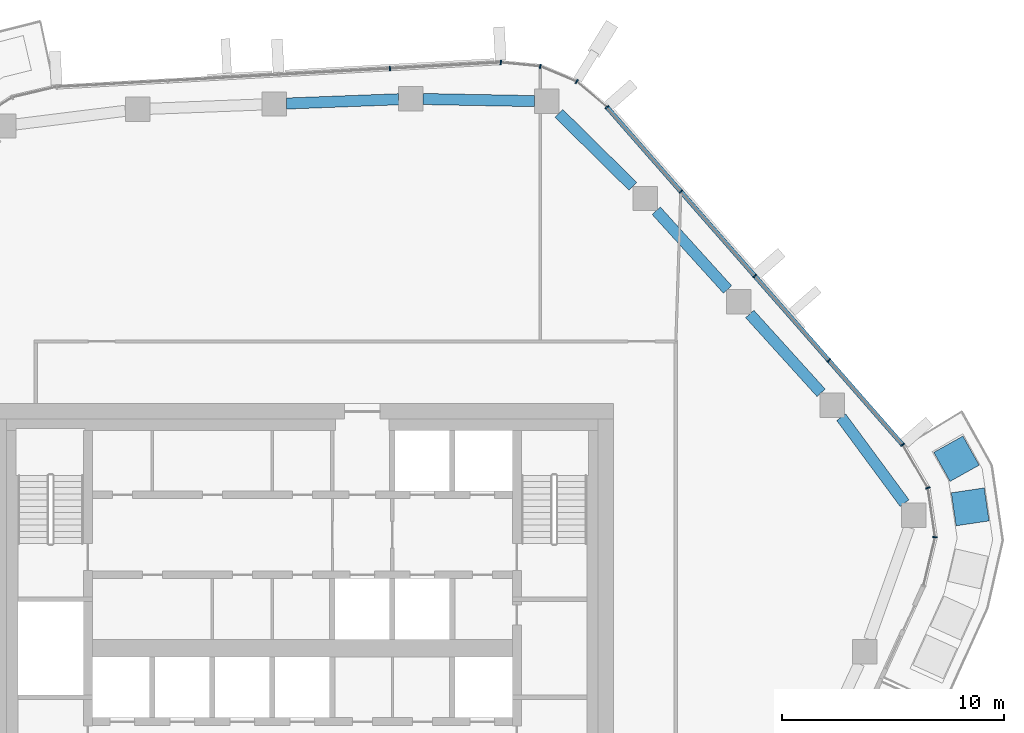
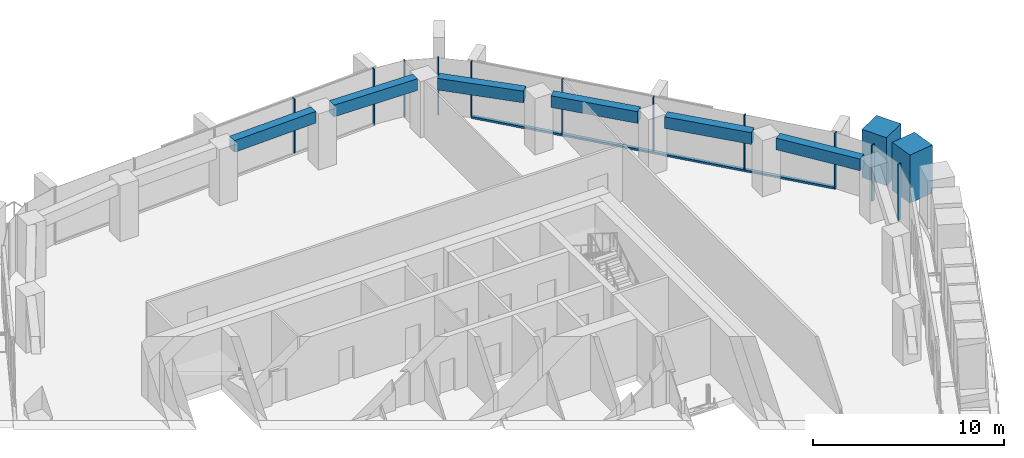
# One storey, part 8 of 21: 14 members, 6 beams, 4 elements without a shape of their own.
"""IFC4 building model written with IfcOpenShell, lengths in metres."""

from ifc_helpers import new_model, si_unit, direction, frame, origin, origin_2d, place, context, subcontext, project, spatial, rectangle, extrude, material, layer, layer_set, material_profile, profile_set, type_object, element, aggregate, save


model = new_model("IFC4")

# Units and contexts
model_context = context("Model", 3, precision=1e-05, world=origin(), true_north=direction((0.0, 1.0)))
body_context = subcontext(model_context, "Body", "Model", "MODEL_VIEW")
ifc_project = project(units=[si_unit("LENGTHUNIT", "METRE"), si_unit("AREAUNIT", "SQUARE_METRE"), si_unit("VOLUMEUNIT", "CUBIC_METRE"), si_unit("PLANEANGLEUNIT", "RADIAN"), si_unit("MASSUNIT", "GRAM", prefix="KILO")], contexts=[model_context])

# Site, building, storey
site_placement = place(None, origin())
site = spatial("IfcSite", under=ifc_project, at=site_placement, CompositionType="ELEMENT")
building_placement = place(site_placement, origin())
building = spatial("IfcBuilding", under=site, at=building_placement, Name="Dongbaek Canopy Tower", CompositionType="ELEMENT")
storey_placement = place(building_placement, frame((0.0, 0.0, 279.0)))
storey = spatial("IfcBuildingStorey", under=building, at=storey_placement, Name="L59", CompositionType="ELEMENT", Elevation=279.0)

# Curtain wall, members
ifc_material_1 = material(Name="Aluminium 6063-T6 pale anodised", Category="aluminium")
ifc_layer = layer(ifc_material_1, 0.199951171875)
ifc_layer_set = layer_set([ifc_layer], Name="CW-1 unitised tower curtain wall")
curtain_wall_type = type_object("IfcCurtainWallType", Name="CW-1 unitised tower curtain wall", PredefinedType="NOTDEFINED", material=ifc_layer_set)
curtain_wall_1_placement = place(storey_placement, origin())
curtain_wall_1 = element("IfcCurtainWall", 1, at=curtain_wall_1_placement, inside=storey, type_object=curtain_wall_type, Name="CW-1 curtain wall K0.1", PredefinedType="NOTDEFINED")
ifc_material_2 = material(Name="Aluminium 6063-T6 pale anodised", Category="aluminium")
ifc_material_profile_1 = material_profile(ifc_material_2, rectangle(XDim=0.199951171875, YDim=0.06005859375, at=origin_2d()), Name="CW-1 mullion 60 x 200")
ifc_profile_set_1 = profile_set([ifc_material_profile_1], Name="Aluminium 6063-T6 pale anodised")
member_type_1 = type_object("IfcMemberType", Name="CW-1 mullion 60 x 200", PredefinedType="MULLION", material=ifc_profile_set_1)
member_1_placement = place(storey_placement, frame((28.461181640625, 4.994140625, 0.0), z_axis=(0.0, 0.0, 1.0), x_axis=(0.999002637183, -0.044651213891, 0.0)))
member_1 = element("IfcMember", 2, at=member_1_placement, type_object=member_type_1, Name="CW-1 mullion K0.1.2", PredefinedType="MULLION", context=body_context, shape_type="SweptSolid", body=[
    extrude(rectangle(XDim=0.199951171875, YDim=0.06005859375, at=origin_2d()), origin(), (0.0, 0.0, 1.0), 3.60009765625),
])
member_2_placement = place(storey_placement, frame((28.134521484375, 7.209716796875, 0.0), z_axis=(0.0, 0.0, 1.0), x_axis=(0.943640970569, 0.330970872831, 0.0)))
member_2 = element("IfcMember", 3, at=member_2_placement, type_object=member_type_1, Name="CW-1 mullion K0.1.3", PredefinedType="MULLION", context=body_context, shape_type="SweptSolid", body=[
    extrude(rectangle(XDim=0.199951171875, YDim=0.06005859375, at=origin_2d()), origin(), (0.0, 0.0, 1.0), 3.60009765625),
])
member_3_placement = place(storey_placement, frame((27.000732421875, 9.152099609375, 0.0), z_axis=(0.0, 0.0, 1.0), x_axis=(0.863649399796, 0.504092961895, 0.0)))
member_3 = element("IfcMember", 4, at=member_3_placement, type_object=member_type_1, Name="CW-1 mullion K0.1.4", PredefinedType="MULLION", context=body_context, shape_type="SweptSolid", body=[
    extrude(rectangle(XDim=0.199951171875, YDim=0.06005859375, at=origin_2d()), origin(), (0.0, 0.0, 1.0), 3.60009765625),
])
aggregate(curtain_wall_1, [member_1, member_2, member_3])

curtain_wall_2_placement = place(storey_placement, origin())
curtain_wall_2 = element("IfcCurtainWall", 5, at=curtain_wall_2_placement, inside=storey, type_object=curtain_wall_type, Name="CW-1 curtain wall F0.1", PredefinedType="NOTDEFINED")
member_4_placement = place(storey_placement, frame((23.67919921875, 12.9443359375, 0.1201171875), z_axis=(0.0, 0.0, 1.0), x_axis=(0.752246978855, 0.658881235735, 0.0)))
member_4 = element("IfcMember", 6, at=member_4_placement, type_object=member_type_1, Name="CW-1 mullion F0.1.2", PredefinedType="MULLION", context=body_context, shape_type="SweptSolid", body=[
    extrude(rectangle(XDim=0.199951171875, YDim=0.06005859375, at=origin_2d()), origin(), (0.0, 0.0, 1.0), 3.47998046875),
])
member_5_placement = place(storey_placement, frame((20.351318359375, 16.74365234375, 0.1201171875), z_axis=(0.0, 0.0, 1.0), x_axis=(0.752246978855, 0.658881235735, 0.0)))
member_5 = element("IfcMember", 7, at=member_5_placement, type_object=member_type_1, Name="CW-1 mullion F0.1.3", PredefinedType="MULLION", context=body_context, shape_type="SweptSolid", body=[
    extrude(rectangle(XDim=0.199951171875, YDim=0.06005859375, at=origin_2d()), origin(), (0.0, 0.0, 1.0), 3.47998046875),
])
member_6_placement = place(storey_placement, frame((17.023681640625, 20.543212890625, 0.1201171875), z_axis=(0.0, 0.0, 1.0), x_axis=(0.752246978855, 0.658881235735, 0.0)))
member_6 = element("IfcMember", 8, at=member_6_placement, type_object=member_type_1, Name="CW-1 mullion F0.1.4", PredefinedType="MULLION", context=body_context, shape_type="SweptSolid", body=[
    extrude(rectangle(XDim=0.199951171875, YDim=0.06005859375, at=origin_2d()), origin(), (0.0, 0.0, 1.0), 3.47998046875),
])
member_7_placement = place(storey_placement, frame((13.70068359375, 24.3369140625, 0.1201171875), z_axis=(0.0, 0.0, 1.0), x_axis=(0.752246978855, 0.658881235735, 0.0)))
member_7 = element("IfcMember", 9, at=member_7_placement, type_object=member_type_1, Name="CW-1 mullion F0.1.5", PredefinedType="MULLION", context=body_context, shape_type="SweptSolid", body=[
    extrude(rectangle(XDim=0.199951171875, YDim=0.06005859375, at=origin_2d()), origin(), (0.0, 0.0, 1.0), 3.47998046875),
])

curtain_wall_3_placement = place(storey_placement, origin())
curtain_wall_3 = element("IfcCurtainWall", 10, at=curtain_wall_3_placement, inside=storey, type_object=curtain_wall_type, Name="CW-1 curtain wall K1.1", PredefinedType="NOTDEFINED")
member_8_placement = place(storey_placement, frame((12.33740234375, 25.486083984375, 0.0), z_axis=(0.0, 0.0, 1.0), x_axis=(0.522138205933, 0.85286088778, 0.0)))
member_8 = element("IfcMember", 11, at=member_8_placement, type_object=member_type_1, Name="CW-1 mullion K1.1.2", PredefinedType="MULLION", context=body_context, shape_type="SweptSolid", body=[
    extrude(rectangle(XDim=0.199951171875, YDim=0.06005859375, at=origin_2d()), origin(), (0.0, 0.0, 1.0), 3.60009765625),
])
member_9_placement = place(storey_placement, frame((10.701171875, 26.174560546875, 0.0), z_axis=(0.0, 0.0, 1.0), x_axis=(0.24473511882, 0.969589976029, 0.0)))
member_9 = element("IfcMember", 12, at=member_9_placement, type_object=member_type_1, Name="CW-1 mullion K1.1.3", PredefinedType="MULLION", context=body_context, shape_type="SweptSolid", body=[
    extrude(rectangle(XDim=0.199951171875, YDim=0.06005859375, at=origin_2d()), origin(), (0.0, 0.0, 1.0), 3.60009765625),
])
member_10_placement = place(storey_placement, frame((8.926513671875, 26.345703125, 0.0), z_axis=(0.0, 0.0, 1.0), x_axis=(0.09604340383, 0.995377146905, 0.0)))
member_10 = element("IfcMember", 13, at=member_10_placement, type_object=member_type_1, Name="CW-1 mullion K1.1.4", PredefinedType="MULLION", context=body_context, shape_type="SweptSolid", body=[
    extrude(rectangle(XDim=0.199951171875, YDim=0.06005859375, at=origin_2d()), origin(), (0.0, 0.0, 1.0), 3.60009765625),
])
aggregate(curtain_wall_3, [member_8, member_9, member_10])

# Curtain wall, member
curtain_wall_4_placement = place(storey_placement, origin())
curtain_wall_4 = element("IfcCurtainWall", 14, at=curtain_wall_4_placement, inside=storey, type_object=curtain_wall_type, Name="CW-1 curtain wall F1.1", PredefinedType="NOTDEFINED")
member_11_placement = place(storey_placement, frame((3.93603515625, 26.07177734375, 0.1201171875), z_axis=(0.0, 0.0, 1.0), x_axis=(-0.054835623277, 0.998495395292, 0.0)))
member_11 = element("IfcMember", 15, at=member_11_placement, type_object=member_type_1, Name="CW-1 mullion F1.1.2", PredefinedType="MULLION", context=body_context, shape_type="SweptSolid", body=[
    extrude(rectangle(XDim=0.199951171875, YDim=0.06005859375, at=origin_2d()), origin(), (0.0, 0.0, 1.0), 3.47998046875),
])
aggregate(curtain_wall_4, [member_11])

# Member
ifc_material_3 = material(Name="Aluminium 6063-T6 pale anodised", Category="aluminium")
ifc_material_profile_2 = material_profile(ifc_material_3, rectangle(XDim=0.199951171875, YDim=0.1201171875, at=origin_2d()), Name="CW-1 transom 120 x 200")
ifc_profile_set_2 = profile_set([ifc_material_profile_2], Name="Aluminium 6063-T6 pale anodised")
member_type_2 = type_object("IfcMemberType", Name="CW-1 transom 120 x 200", PredefinedType="USERDEFINED", material=ifc_profile_set_2)
member_12_placement = place(storey_placement, frame((27.000732421875, 9.152099609375, 0.06005859375), z_axis=(-0.658878710524, 0.75224919064, 0.0), x_axis=(-0.75224919064, -0.658878710524, 0.0)))
member_12 = element("IfcMember", 16, at=member_12_placement, type_object=member_type_2, Name="CW-1 transom F0.1.1", ObjectType="TRANSOM", PredefinedType="USERDEFINED", context=body_context, shape_type="SweptSolid", body=[
    extrude(rectangle(XDim=0.199951171875, YDim=0.1201171875, at=origin_2d()), origin(), (0.0, 0.0, 1.0), 20.185791015625),
])

aggregate(curtain_wall_2, [member_4, member_5, member_6, member_7, member_12])

# Beams
ifc_material_4 = material(Name="Concrete C70", Category="concrete")
ifc_material_profile_3 = material_profile(ifc_material_4, rectangle(XDim=0.5, YDim=0.75, at=origin_2d()), Name="RC EDGE BEAM 500x750 C70")
ifc_profile_set_3 = profile_set([ifc_material_profile_3], Name="Concrete C70")
beam_type = type_object("IfcBeamType", Name="RC EDGE BEAM 500x750 C70", PredefinedType="BEAM", material=ifc_profile_set_3)
beam_1_placement = place(storey_placement, frame((-0.716064453125, 24.5, 3.22509765625), z_axis=(0.999269359521, 0.038219721647, 0.0), x_axis=(-0.038219721647, 0.999269359521, 0.0)))
element("IfcBeam", 17, at=beam_1_placement, inside=storey, type_object=beam_type, Name="EDGEBEAM:L59:15", PredefinedType="BEAM", context=body_context, shape_type="SweptSolid", body=[
    extrude(rectangle(XDim=0.5, YDim=0.75, at=origin_2d()), origin(), (0.0, 0.0, 1.0), 5.052734375),
])
beam_2_placement = place(storey_placement, frame((5.43310546875, 24.70361328125, 3.22509765625), z_axis=(0.999822914654, -0.018818590065, 0.0), x_axis=(0.018818590065, 0.999822914654, 0.0)))
element("IfcBeam", 18, at=beam_2_placement, inside=storey, type_object=beam_type, Name="EDGEBEAM:L59:16", PredefinedType="BEAM", context=body_context, shape_type="SweptSolid", body=[
    extrude(rectangle(XDim=0.5, YDim=0.75, at=origin_2d()), origin(), (0.0, 0.0, 1.0), 5.0078125),
])
beam_3_placement = place(storey_placement, frame((11.5400390625, 24.05615234375, 3.22509765625), z_axis=(0.711738619198, -0.70244440203, 0.0), x_axis=(0.70244440203, 0.711738619198, 0.0)))
element("IfcBeam", 19, at=beam_3_placement, inside=storey, type_object=beam_type, Name="EDGEBEAM:L59:17", PredefinedType="BEAM", context=body_context, shape_type="SweptSolid", body=[
    extrude(rectangle(XDim=0.5, YDim=0.75, at=origin_2d()), origin(), (0.0, 0.0, 1.0), 4.67578125),
])
beam_4_placement = place(storey_placement, frame((15.916015625, 19.678955078125, 3.22509765625), z_axis=(0.671330225436, -0.741158369322, 0.0), x_axis=(0.741158369322, 0.671330225436, 0.0)))
element("IfcBeam", 20, at=beam_4_placement, inside=storey, type_object=beam_type, Name="EDGEBEAM:L59:18", PredefinedType="BEAM", context=body_context, shape_type="SweptSolid", body=[
    extrude(rectangle(XDim=0.5, YDim=0.75, at=origin_2d()), origin(), (0.0, 0.0, 1.0), 4.782958984375),
])
beam_5_placement = place(storey_placement, frame((20.123046875, 15.033935546875, 3.22509765625), z_axis=(0.671218045362, -0.741259964911, 0.0), x_axis=(0.741259964911, 0.671218045362, 0.0)))
element("IfcBeam", 21, at=beam_5_placement, inside=storey, type_object=beam_type, Name="EDGEBEAM:L59:19", PredefinedType="BEAM", context=body_context, shape_type="SweptSolid", body=[
    extrude(rectangle(XDim=0.5, YDim=0.75, at=origin_2d()), origin(), (0.0, 0.0, 1.0), 4.7822265625),
])
beam_6_placement = place(storey_placement, frame((24.23681640625, 10.388916015625, 3.22509765625), z_axis=(0.593714292615, -0.804675921564, 0.0), x_axis=(0.804675921564, 0.593714292615, 0.0)))
element("IfcBeam", 22, at=beam_6_placement, inside=storey, type_object=beam_type, Name="EDGEBEAM:L59:20", PredefinedType="BEAM", context=body_context, shape_type="SweptSolid", body=[
    extrude(rectangle(XDim=0.5, YDim=0.75, at=origin_2d()), origin(), (0.0, 0.0, 1.0), 4.79931640625),
])

# Members
ifc_material_5 = material(Name="Concrete C40/50 planter mass with planting", Category="concrete")
ifc_material_profile_4 = material_profile(ifc_material_5, rectangle(XDim=1.5, YDim=1.5, at=origin_2d()), Name="Terrace PLANTER shrub mass 1500 x 1500")
ifc_profile_set_4 = profile_set([ifc_material_profile_4], Name="Concrete C40/50 planter mass with planting")
member_type_3 = type_object("IfcMemberType", Name="Terrace PLANTER shrub mass 1500 x 1500", PredefinedType="USERDEFINED", material=ifc_profile_set_4)
for number, where, z_axis, x_axis, name in (
    (23, (30.038330078125, 6.3583984375, 0.419921875), (0.0, 0.0, 1.0), (0.989312405002, 0.14581140322, 0.0), "Planter shrubs L59 3.4"),
    (24, (29.423095703125, 8.5224609375, 0.419921875), (0.0, 0.0, 1.0), (0.872893146753, 0.487911420599, 0.0), "Planter shrubs L59 3.5"),
):
    element("IfcMember", number, at=place(storey_placement, frame(where, z_axis=z_axis, x_axis=x_axis)), inside=storey, type_object=member_type_3, Name=name, ObjectType="PLANTER", PredefinedType="USERDEFINED", context=body_context, shape_type="SweptSolid", body=[
        extrude(rectangle(XDim=1.5, YDim=1.5, at=origin_2d()), origin(), (0.0, 0.0, 1.0), 3.080078125),
    ])

save(model, "model.ifc")
